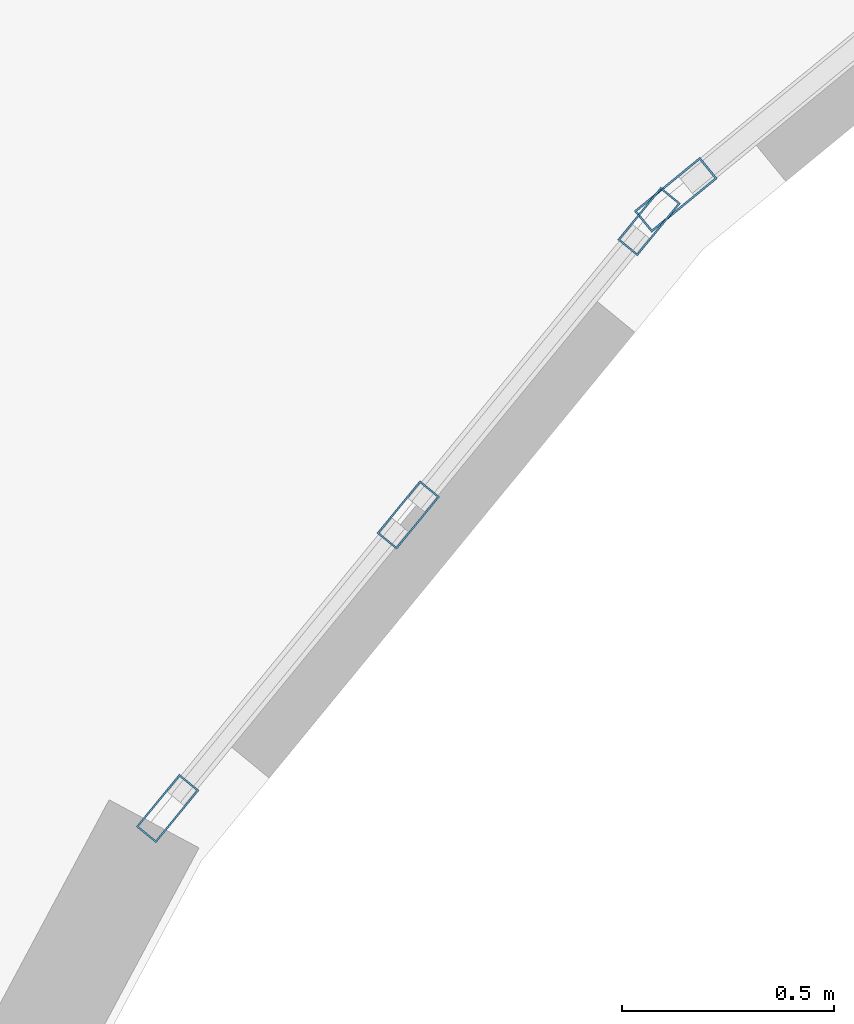
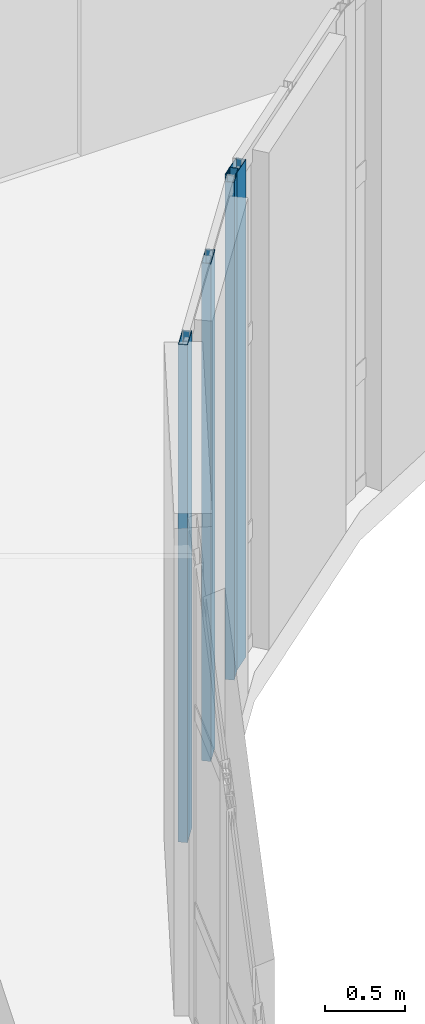
# One storey, part 36 of 105: 4 members, 2 elements without a shape of their own.
"""IFC4 building model written with IfcOpenShell, lengths in metres."""

import ifcopenshell
import ifcopenshell.guid

model = None  # the IFC model being written
_history = None  # IfcOwnerHistory: only IFC2X3 demands one
_inside = {}  # id of a spatial element -> (the spatial element, [elements in it])
_under = {}  # id of a project, library or spatial element -> (it, [spatial elements below it])
_declared = {}  # id of a project -> (the project, [libraries it declares])
_typed = {}  # id of a type object -> (the type object, [elements of that type])
_made_of = {}  # id of a material, layer set ... -> (it, [elements and type objects made of it])


def new_model(schema):
    """Start an empty IFC model of exactly this schema.

    Asked for "IFC4X3", IfcOpenShell would pick the latest addendum, in which some entities
    have other attributes; the version numbers below select the first issue.
    IFC2X3 requires an IfcOwnerHistory on every rooted entity: one is made here for all.
    """
    global model, _history
    if schema == "IFC4X3":
        model = ifcopenshell.file(schema_version=(4, 3, 0, 0))
    else:
        model = ifcopenshell.file(schema=schema)
    _inside.clear()
    _under.clear()
    _declared.clear()
    _typed.clear()
    _made_of.clear()
    _history = None
    if model.schema == "IFC2X3":
        org = make("IfcOrganization", Name="unknown")
        user = make(
            "IfcPersonAndOrganization",
            ThePerson=make("IfcPerson", FamilyName="unknown"),
            TheOrganization=org,
        )
        app = make(
            "IfcApplication",
            ApplicationDeveloper=org,
            Version="unknown",
            ApplicationFullName="unknown",
            ApplicationIdentifier="unknown",
        )
        _history = make(
            "IfcOwnerHistory",
            OwningUser=user,
            OwningApplication=app,
            ChangeAction="ADDED",
            CreationDate=0,
        )
    return model


def make(cls, **values):
    """One entity of the class cls with the attributes given. An attribute that is None is left unset."""
    return model.create_entity(
        cls, **{name: value for name, value in values.items() if value is not None}
    )


def rooted(cls, **values):
    """An entity with a GlobalId (a new one), such as an element, a storey or a relation."""
    return make(cls, GlobalId=ifcopenshell.guid.new(), OwnerHistory=_history, **values)


def si_unit(unit_type, name, prefix=None):
    """IfcSIUnit, for example si_unit("LENGTHUNIT", "METRE", prefix="MILLI")."""
    return make("IfcSIUnit", UnitType=unit_type, Prefix=prefix, Name=name)


def assignment(units):
    """IfcUnitAssignment: the units of a project."""
    return None if units is None else make("IfcUnitAssignment", Units=units)


def point(xyz):
    """IfcCartesianPoint."""
    return None if xyz is None else make("IfcCartesianPoint", Coordinates=xyz)


def direction(xyz):
    """IfcDirection."""
    return None if xyz is None else make("IfcDirection", DirectionRatios=xyz)


def frame(location, z_axis=None, x_axis=None):
    """IfcAxis2Placement3D, a coordinate frame: its origin and axes. An axis left out is left unset."""
    return make(
        "IfcAxis2Placement3D",
        Location=point(location),
        Axis=direction(z_axis),
        RefDirection=direction(x_axis),
    )


def frame_2d(location, x_axis=None):
    """IfcAxis2Placement2D, a coordinate frame in the plane: its origin and x axis."""
    return make(
        "IfcAxis2Placement2D", Location=point(location), RefDirection=direction(x_axis)
    )


def origin():
    """The frame at (0, 0, 0) with its axes left unset."""
    return frame((0.0, 0.0, 0.0))


def origin_2d():
    """The frame at (0, 0) in the plane with its x axis left unset."""
    return frame_2d((0.0, 0.0))


def place(relative_to, where):
    """IfcLocalPlacement: puts the frame where relative to a parent placement (None: the world)."""
    return make(
        "IfcLocalPlacement", PlacementRelTo=relative_to, RelativePlacement=where
    )


def context(
    kind, dimensions, precision=None, world=None, true_north=None, identifier=None
):
    """IfcGeometricRepresentationContext, for example the 3D "Model" context."""
    return make(
        "IfcGeometricRepresentationContext",
        ContextIdentifier=identifier,
        ContextType=kind,
        CoordinateSpaceDimension=dimensions,
        Precision=precision,
        WorldCoordinateSystem=world,
        TrueNorth=true_north,
    )


def subcontext(parent, identifier, kind, view, scale=None):
    """IfcGeometricRepresentationSubContext, for example "Body" below "Model"."""
    return make(
        "IfcGeometricRepresentationSubContext",
        ContextIdentifier=identifier,
        ContextType=kind,
        ParentContext=parent,
        TargetScale=scale,
        TargetView=view,
    )


def project(units=None, contexts=None):
    """IfcProject with its units and contexts."""
    return rooted(
        "IfcProject",
        Name="project",
        RepresentationContexts=contexts,
        UnitsInContext=assignment(units),
    )


def spatial(cls, under=None, at=None, **own):
    """A site, building, storey or space (cls), placed at a placement, below another one or the project."""
    s = rooted(cls, ObjectPlacement=at, **own)
    if under is not None:
        _under.setdefault(under.id(), (under, []))[1].append(s)
    return s


def profile(cls, at=None, kind="AREA", **sizes):
    """A parametric profile (cls). Its sizes go by their IFC names, for example OverallWidth=200.0."""
    return make(cls, ProfileType=kind, Position=at, **sizes)


def hollow_rectangle(**sizes):
    """IfcRectangleHollowProfileDef."""
    return profile("IfcRectangleHollowProfileDef", **sizes)


def extrude(swept, where, along, depth):
    """IfcExtrudedAreaSolid: the profile swept, set in the frame where, extruded along a direction by depth."""
    return make(
        "IfcExtrudedAreaSolid",
        SweptArea=swept,
        Position=where,
        ExtrudedDirection=direction(along),
        Depth=depth,
    )


def shape(context_of_items, identifier, shape_type, items):
    """IfcShapeRepresentation: the items that make up one representation, for example the "Body"."""
    return make(
        "IfcShapeRepresentation",
        ContextOfItems=context_of_items,
        RepresentationIdentifier=identifier,
        RepresentationType=shape_type,
        Items=items,
    )


def material(Name=None, Category=None):
    """IfcMaterial."""
    return make("IfcMaterial", Name=Name, Category=Category)


def layer(
    of_material, thickness, ventilated=None, Name=None, Category=None, Priority=None
):
    """IfcMaterialLayer: one layer of a wall or slab, of a material (None: an air gap)."""
    return make(
        "IfcMaterialLayer",
        Material=of_material,
        LayerThickness=thickness,
        IsVentilated=ventilated,
        Name=Name,
        Category=Category,
        Priority=Priority,
    )


def layer_set(layers, Name=None):
    """IfcMaterialLayerSet."""
    return make("IfcMaterialLayerSet", MaterialLayers=layers, LayerSetName=Name)


def material_profile(
    of_material, cross_section, Name=None, Category=None, Priority=None
):
    """IfcMaterialProfile: a cross section and its material."""
    return make(
        "IfcMaterialProfile",
        Name=Name,
        Material=of_material,
        Profile=cross_section,
        Priority=Priority,
        Category=Category,
    )


def profile_set(profiles, Name=None, composite=None):
    """IfcMaterialProfileSet."""
    return make(
        "IfcMaterialProfileSet",
        Name=Name,
        MaterialProfiles=profiles,
        CompositeProfile=composite,
    )


def made_of(thing, what):
    """Note that an element or type object is made of a material, layer set ...; save() writes the relation."""
    if what is not None:
        _made_of.setdefault(what.id(), (what, []))[1].append(thing)
    return thing


def type_object(cls, material=None, **own):
    """A type object (cls), such as IfcWallType, which elements share."""
    return made_of(rooted(cls, **own), material)


def element(
    cls,
    number,
    at=None,
    inside=None,
    cuts=None,
    type_object=None,
    material=None,
    context=None,
    identifier="Body",
    shape_type=None,
    held_by="IfcProductDefinitionShape",
    body=None,
    shapes=None,
    **own,
):
    """One element of the class cls, such as IfcWall. Its Tag is "e" and its number.

    at: its placement. inside: the storey or other place that contains it. cuts: it is an
    opening in that element (IfcRelVoidsElement). A single representation is given by context,
    identifier, shape_type and body (its items); several are given by shapes. held_by: the class
    of the entity that holds the representations. save() writes the other relations.
    """
    e = rooted(cls, Tag="e%d" % number, ObjectPlacement=at, **own)
    if body is not None:
        shapes = [shape(context, identifier, shape_type, body)]
    if shapes is not None:
        e.Representation = make(held_by, Representations=shapes)
    if inside is not None:
        _inside.setdefault(inside.id(), (inside, []))[1].append(e)
    if cuts is not None:
        rooted(
            "IfcRelVoidsElement", RelatingBuildingElement=cuts, RelatedOpeningElement=e
        )
    if type_object is not None:
        _typed.setdefault(type_object.id(), (type_object, []))[1].append(e)
    return made_of(e, material)


def aggregate(whole, parts):
    """IfcRelAggregates: a whole, such as a stair, and the parts it consists of."""
    return rooted("IfcRelAggregates", RelatingObject=whole, RelatedObjects=parts)


def save(model, path):
    """Write the relations noted so far, then the file.

    IfcRelAggregates (storeys below a building ...), IfcRelContainedInSpatialStructure (elements
    in a storey), IfcRelDefinesByType, IfcRelAssociatesMaterial and IfcRelDeclares: one each for
    every whole, place, type object, material and project.
    """
    for whole, parts in _under.values():
        aggregate(whole, parts)
    for where, things in _inside.values():
        rooted(
            "IfcRelContainedInSpatialStructure",
            RelatedElements=things,
            RelatingStructure=where,
        )
    for kind, things in _typed.values():
        rooted("IfcRelDefinesByType", RelatedObjects=things, RelatingType=kind)
    for what, things in _made_of.values():
        rooted("IfcRelAssociatesMaterial", RelatedObjects=things, RelatingMaterial=what)
    for by, libraries in _declared.values():
        rooted("IfcRelDeclares", RelatingContext=by, RelatedDefinitions=libraries)
    model.write(path)


model = new_model("IFC4")

# Units and contexts
model_context = context("Model", 3, precision=1e-05, world=origin(), true_north=direction((0.0, 1.0)))
body_context = subcontext(model_context, "Body", "Model", "MODEL_VIEW")
ifc_project = project(units=[si_unit("LENGTHUNIT", "METRE"), si_unit("AREAUNIT", "SQUARE_METRE"), si_unit("VOLUMEUNIT", "CUBIC_METRE"), si_unit("PLANEANGLEUNIT", "RADIAN"), si_unit("MASSUNIT", "GRAM", prefix="KILO")], contexts=[model_context])

# Site, building, storey
site_placement = place(None, origin())
site = spatial("IfcSite", under=ifc_project, at=site_placement, CompositionType="ELEMENT")
building_placement = place(site_placement, origin())
building = spatial("IfcBuilding", under=site, at=building_placement, Name="Kelanivale Promenade Academy", CompositionType="ELEMENT")
storey_placement = place(building_placement, frame((0.0, 0.0, 4.199951171875)))
storey = spatial("IfcBuildingStorey", under=building, at=storey_placement, Name="L01", CompositionType="ELEMENT", Elevation=4.199951171875)

# Curtain wall, members
ifc_material_1 = material(Name="Bronze anodised aluminium and solar-control low-E glass", Category="aluminium")
ifc_layer_1 = layer(ifc_material_1, 0.169921875)
ifc_layer_set_1 = layer_set([ifc_layer_1], Name="Bronze anodised aluminium and solar-control low-E glass")
curtain_wall_type_1 = type_object("IfcCurtainWallType", Name="CW-13 Curtain Wall 1350mm Module", PredefinedType="USERDEFINED", material=ifc_layer_set_1)
curtain_wall_1_placement = place(storey_placement, origin())
curtain_wall_1 = element("IfcCurtainWall", 1, at=curtain_wall_1_placement, inside=storey, type_object=curtain_wall_type_1, Name="L01 courtyard curtain wall CW-13", ObjectType="COURTYARD SCREEN GLAZING", PredefinedType="USERDEFINED")
ifc_material_2 = material(Name="Bronze anodised aluminium EN AW-6063 T6", Category="aluminium")
ifc_material_profile_1 = material_profile(ifc_material_2, hollow_rectangle(XDim=0.06005859375, YDim=0.159912109375, WallThickness=0.00390625, at=origin_2d()), Name="ALU 60x160x4.0")
ifc_profile_set_1 = profile_set([ifc_material_profile_1], Name="Bronze anodised aluminium EN AW-6063 T6")
member_type_1 = type_object("IfcMemberType", Name="CWM-01 ALU 60x160x4.0", PredefinedType="MULLION", material=ifc_profile_set_1)
member_1_placement = place(storey_placement, frame((91.955078125, 63.583740234375, 0.0), z_axis=(0.0, 0.0, 1.0), x_axis=(0.773257170269, -0.634092539482, 0.0)))
member_1 = element("IfcMember", 2, at=member_1_placement, type_object=member_type_1, Name="CW-13 mullion 1", PredefinedType="MULLION", context=body_context, shape_type="SweptSolid", body=[
    extrude(hollow_rectangle(XDim=0.06005859375, YDim=0.159912109375, WallThickness=0.00390625, at=origin_2d()), origin(), (0.0, 0.0, 1.0), 3.780029296875),
])
member_2_placement = place(storey_placement, frame((91.388427734375, 62.89306640625, 0.0), z_axis=(0.0, 0.0, 1.0), x_axis=(0.773257170269, -0.634092539482, 0.0)))
member_2 = element("IfcMember", 3, at=member_2_placement, type_object=member_type_1, Name="CW-13 mullion 2", PredefinedType="MULLION", context=body_context, shape_type="SweptSolid", body=[
    extrude(hollow_rectangle(XDim=0.06005859375, YDim=0.159912109375, WallThickness=0.00390625, at=origin_2d()), origin(), (0.0, 0.0, 1.0), 3.780029296875),
])
member_3_placement = place(storey_placement, frame((90.822021484375, 62.2021484375, 0.0), z_axis=(0.0, 0.0, 1.0), x_axis=(0.773257170269, -0.634092539482, 0.0)))
member_3 = element("IfcMember", 4, at=member_3_placement, type_object=member_type_1, Name="CW-13 mullion 3", PredefinedType="MULLION", context=body_context, shape_type="SweptSolid", body=[
    extrude(hollow_rectangle(XDim=0.06005859375, YDim=0.159912109375, WallThickness=0.00390625, at=origin_2d()), origin(), (0.0, 0.0, 1.0), 3.780029296875),
])
aggregate(curtain_wall_1, [member_1, member_2, member_3])

# Curtain wall, member
ifc_layer_2 = layer(ifc_material_1, 0.159912109375)
ifc_layer_set_2 = layer_set([ifc_layer_2], Name="Bronze anodised aluminium and solar-control low-E glass")
curtain_wall_type_2 = type_object("IfcCurtainWallType", Name="CW-12 Curtain Wall 1200mm Module", PredefinedType="USERDEFINED", material=ifc_layer_set_2)
curtain_wall_2_placement = place(storey_placement, origin())
curtain_wall_2 = element("IfcCurtainWall", 5, at=curtain_wall_2_placement, inside=storey, type_object=curtain_wall_type_2, Name="L01 courtyard curtain wall CW-12", ObjectType="UNITISED GLAZING", PredefinedType="USERDEFINED")
ifc_material_profile_2 = material_profile(ifc_material_2, hollow_rectangle(XDim=0.06494140625, YDim=0.199951171875, WallThickness=0.00439453125, at=origin_2d()), Name="ALU 65x200x4.5")
ifc_profile_set_2 = profile_set([ifc_material_profile_2], Name="Bronze anodised aluminium EN AW-6063 T6")
member_type_2 = type_object("IfcMemberType", Name="CWM-04 ALU 65x200x4.5", PredefinedType="MULLION", material=ifc_profile_set_2)
member_4_placement = place(storey_placement, frame((92.01806640625, 63.646728515625, 0.0), z_axis=(0.0, 0.0, 1.0), x_axis=(0.634143799719, -0.773215132597, 0.0)))
member_4 = element("IfcMember", 6, at=member_4_placement, type_object=member_type_2, Name="CW-12 mullion 3", PredefinedType="MULLION", context=body_context, shape_type="SweptSolid", body=[
    extrude(hollow_rectangle(XDim=0.06494140625, YDim=0.199951171875, WallThickness=0.00439453125, at=origin_2d()), origin(), (0.0, 0.0, 1.0), 3.780029296875),
])
aggregate(curtain_wall_2, [member_4])

save(model, "model.ifc")
